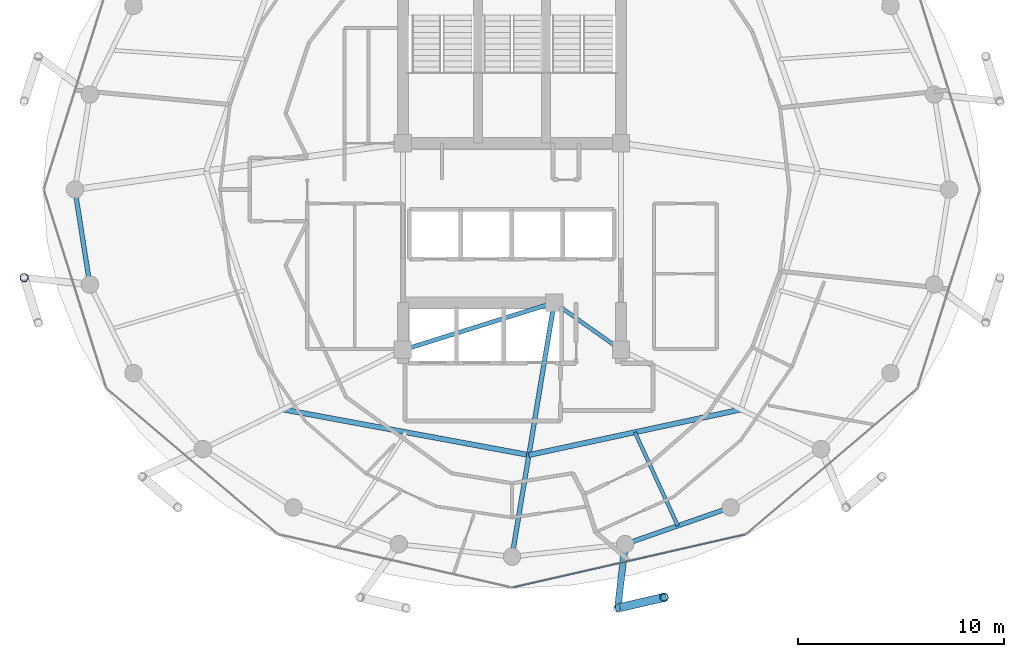
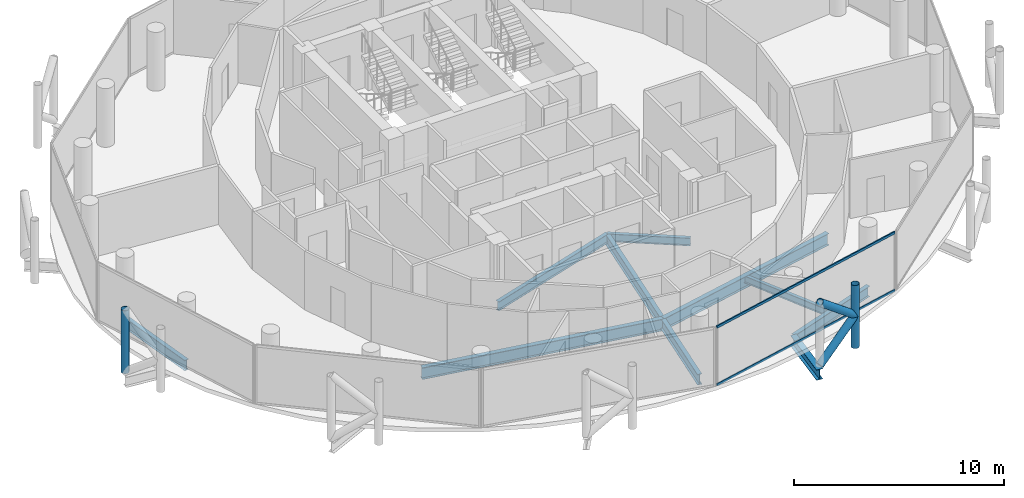
# One storey, part 6 of 27: 9 beams, 6 members, 1 element without a shape of its own.
"""IFC4 building model written with IfcOpenShell, lengths in metres."""

from ifc_helpers import new_model, si_unit, direction, frame, origin, origin_2d, place, context, subcontext, project, spatial, hollow_rectangle, hollow_circle, i_section, extrude, material, layer, layer_set, material_profile, profile_set, type_object, element, aggregate, save


model = new_model("IFC4")

# Units and contexts
model_context = context("Model", 3, precision=1e-05, world=origin(), true_north=direction((0.0, 1.0)))
body_context = subcontext(model_context, "Body", "Model", "MODEL_VIEW")
ifc_project = project(units=[si_unit("LENGTHUNIT", "METRE"), si_unit("AREAUNIT", "SQUARE_METRE"), si_unit("VOLUMEUNIT", "CUBIC_METRE"), si_unit("PLANEANGLEUNIT", "RADIAN"), si_unit("MASSUNIT", "GRAM", prefix="KILO")], contexts=[model_context])

# Site, building, storey
site_placement = place(None, origin())
site = spatial("IfcSite", under=ifc_project, at=site_placement, CompositionType="ELEMENT")
building_placement = place(site_placement, origin())
building = spatial("IfcBuilding", under=site, at=building_placement, Name="Nuhasar Tower", CompositionType="ELEMENT")
storey_placement = place(building_placement, frame((0.0, 0.0, 248.300048828125)))
storey = spatial("IfcBuildingStorey", under=building, at=storey_placement, Name="L61", CompositionType="ELEMENT", Elevation=248.300048828125)

# Beams
ifc_material_1 = material(Name="Steel S355", Category="steel")
ifc_material_profile_1 = material_profile(ifc_material_1, i_section(OverallWidth=0.25390625, OverallDepth=0.68408203125, WebThickness=0.012451171875, FlangeThickness=0.018798828125, at=origin_2d()), Name="W27X94")
ifc_profile_set_1 = profile_set([ifc_material_profile_1], Name="Steel S355")
beam_type_1 = type_object("IfcBeamType", Name="BM-INRING-W27X94", PredefinedType="BEAM", material=ifc_profile_set_1)
beam_1_placement = place(storey_placement, frame((27.864013671875, 16.10693359375, -0.58203125), z_axis=(0.983238439987, -0.182324354193, 0.0), x_axis=(0.182324354193, 0.983238439987, 0.0)))
element("IfcBeam", 1, at=beam_1_placement, inside=storey, type_object=beam_type_1, Name="L61 Inner Header Beam 01", PredefinedType="BEAM", context=body_context, shape_type="SweptSolid", body=[
    extrude(i_section(OverallWidth=0.25390625, OverallDepth=0.68408203125, WebThickness=0.012451171875, FlangeThickness=0.018798828125, at=origin_2d()), origin(), (0.0, 0.0, 1.0), 12.159912109375),
])
beam_2_placement = place(storey_placement, frame((39.820068359375, 13.889892578125, -0.58203125), z_axis=(0.977676275959, 0.210116870876, 0.0), x_axis=(-0.210116870876, 0.977676275959, 0.0)))
element("IfcBeam", 2, at=beam_2_placement, inside=storey, type_object=beam_type_1, Name="L61 Inner Header Beam 02", PredefinedType="BEAM", context=body_context, shape_type="SweptSolid", body=[
    extrude(i_section(OverallWidth=0.25390625, OverallDepth=0.68408203125, WebThickness=0.012451171875, FlangeThickness=0.018798828125, at=origin_2d()), origin(), (0.0, 0.0, 1.0), 10.551513671875),
])
ifc_material_profile_2 = material_profile(ifc_material_1, i_section(OverallWidth=0.177978515625, OverallDepth=0.406005859375, WebThickness=0.0078125, FlangeThickness=0.0126953125, at=origin_2d()), Name="W16X40")
ifc_profile_set_2 = profile_set([ifc_material_profile_2], Name="Steel S355")
beam_type_2 = type_object("IfcBeamType", Name="BM-JST-W16X40", PredefinedType="JOIST", material=ifc_profile_set_2)
beam_3_placement = place(storey_placement, frame((44.97802734375, 14.998046875, -0.443115234375), z_axis=(0.416562288184, -0.909107177434, 0.0), x_axis=(0.909107177434, 0.416562288184, 0.0)))
element("IfcBeam", 3, at=beam_3_placement, inside=storey, type_object=beam_type_2, Name="L61 Secondary Floor Joist 02", PredefinedType="JOIST", context=body_context, shape_type="SweptSolid", body=[
    extrude(i_section(OverallWidth=0.177978515625, OverallDepth=0.406005859375, WebThickness=0.0078125, FlangeThickness=0.0126953125, at=origin_2d()), origin(), (0.0, 0.0, 1.0), 5.0029296875),
])
ifc_material_profile_3 = material_profile(ifc_material_1, i_section(OverallWidth=0.18994140625, OverallDepth=0.45703125, WebThickness=0.009033203125, FlangeThickness=0.014404296875, at=origin_2d()), Name="W18X50")
ifc_profile_set_3 = profile_set([ifc_material_profile_3], Name="Steel S355")
beam_type_3 = type_object("IfcBeamType", Name="BM-RAD-W18X50", PredefinedType="BEAM", material=ifc_profile_set_3)
beam_4_placement = place(storey_placement, frame((41.050048828125, 21.300048828125, -0.468017578125), z_axis=(0.816265428953, -0.577677028708, 0.0), x_axis=(0.577677028708, 0.816265428953, 0.0)))
element("IfcBeam", 4, at=beam_4_placement, inside=storey, type_object=beam_type_3, Name="L61 Core Ring Girder 2", PredefinedType="BEAM", context=body_context, shape_type="SweptSolid", body=[
    extrude(i_section(OverallWidth=0.18994140625, OverallDepth=0.45703125, WebThickness=0.009033203125, FlangeThickness=0.014404296875, at=origin_2d()), origin(), (0.0, 0.0, 1.0), 3.9814453125),
])
ifc_material_profile_4 = material_profile(ifc_material_1, i_section(OverallWidth=0.208984375, OverallDepth=0.528076171875, WebThickness=0.009521484375, FlangeThickness=0.01318359375, at=origin_2d()), Name="W21X55")
ifc_profile_set_4 = profile_set([ifc_material_profile_4], Name="Steel S355")
beam_type_4 = type_object("IfcBeamType", Name="BM-RAD-W21X55", PredefinedType="BEAM", material=ifc_profile_set_4)
beam_5_placement = place(storey_placement, frame((33.699951171875, 19.0, -0.504150390625), z_axis=(0.954363709454, 0.298646798205, 0.0), x_axis=(-0.298646798205, 0.954363709454, 0.0)))
element("IfcBeam", 5, at=beam_5_placement, inside=storey, type_object=beam_type_4, Name="L61 Core Ring Girder 1", PredefinedType="BEAM", context=body_context, shape_type="SweptSolid", body=[
    extrude(i_section(OverallWidth=0.208984375, OverallDepth=0.528076171875, WebThickness=0.009521484375, FlangeThickness=0.01318359375, at=origin_2d()), origin(), (0.0, 0.0, 1.0), 7.70166015625),
])
ifc_material_profile_5 = material_profile(ifc_material_1, i_section(OverallWidth=0.22900390625, OverallDepth=0.612060546875, WebThickness=0.011962890625, FlangeThickness=0.01953125, at=origin_2d()), Name="W24X84")
ifc_profile_set_5 = profile_set([ifc_material_profile_5], Name="Steel S355")
beam_type_5 = type_object("IfcBeamType", Name="BM-RAD-W24X84", PredefinedType="BEAM", material=ifc_profile_set_5)
beam_6_placement = place(storey_placement, frame((41.050048828125, 21.300048828125, -0.546142578125), z_axis=(-0.163753822517, -0.98650123447, 0.0), x_axis=(0.98650123447, -0.163753822517, 0.0)))
element("IfcBeam", 6, at=beam_6_placement, inside=storey, type_object=beam_type_5, Name="L61 Radial Floor Girder 02", PredefinedType="BEAM", context=body_context, shape_type="SweptSolid", body=[
    extrude(i_section(OverallWidth=0.22900390625, OverallDepth=0.612060546875, WebThickness=0.011962890625, FlangeThickness=0.01953125, at=origin_2d()), origin(), (0.0, 0.0, 1.0), 12.51904296875),
])
ifc_material_profile_6 = material_profile(ifc_material_1, i_section(OverallWidth=0.22802734375, OverallDepth=0.60791015625, WebThickness=0.01123046875, FlangeThickness=0.017333984375, at=origin_2d()), Name="W24X76")
ifc_profile_set_6 = profile_set([ifc_material_profile_6], Name="Steel S355")
beam_type_6 = type_object("IfcBeamType", Name="BM-RING-W24X76", PredefinedType="SPANDREL", material=ifc_profile_set_6)
beam_7_placement = place(storey_placement, frame((17.75, 26.800048828125, -0.5439453125), z_axis=(0.154841886404, -0.987939264436, 0.0), x_axis=(0.987939264436, 0.154841886404, 0.0)))
element("IfcBeam", 7, at=beam_7_placement, inside=storey, type_object=beam_type_6, Name="L61 Perimeter Ring Spandrel 13", PredefinedType="SPANDREL", context=body_context, shape_type="SweptSolid", body=[
    extrude(i_section(OverallWidth=0.22802734375, OverallDepth=0.60791015625, WebThickness=0.01123046875, FlangeThickness=0.017333984375, at=origin_2d()), origin(), (0.0, 0.0, 1.0), 4.676513671875),
])
beam_8_placement = place(storey_placement, frame((44.5, 9.55810546875, -0.5439453125), z_axis=(0.944476764686, 0.328578211342, 0.0), x_axis=(-0.328578211342, 0.944476764686, 0.0)))
element("IfcBeam", 8, at=beam_8_placement, inside=storey, type_object=beam_type_6, Name="L61 Perimeter Ring Spandrel 20", PredefinedType="SPANDREL", context=body_context, shape_type="SweptSolid", body=[
    extrude(i_section(OverallWidth=0.22802734375, OverallDepth=0.60791015625, WebThickness=0.01123046875, FlangeThickness=0.017333984375, at=origin_2d()), origin(), (0.0, 0.0, 1.0), 5.42626953125),
])
ifc_material_profile_7 = material_profile(ifc_material_1, i_section(OverallWidth=0.323974609375, OverallDepth=0.611083984375, WebThickness=0.0126953125, FlangeThickness=0.01904296875, at=origin_2d()), Name="W24X104")
ifc_profile_set_7 = profile_set([ifc_material_profile_7], Name="Steel S355")
beam_type_7 = type_object("IfcBeamType", Name="BM-TIE-W24X104", PredefinedType="BEAM", material=ifc_profile_set_7)
beam_9_placement = place(storey_placement, frame((44.5, 9.55810546875, -0.545166015625), z_axis=(-0.114123371392, -0.993466585297, 0.0), x_axis=(0.993466585297, -0.114123371392, 0.0)))
element("IfcBeam", 9, at=beam_9_placement, inside=storey, type_object=beam_type_7, Name="L61 Exoskeleton Node Tie Beam 10", PredefinedType="BEAM", context=body_context, shape_type="SweptSolid", body=[
    extrude(i_section(OverallWidth=0.323974609375, OverallDepth=0.611083984375, WebThickness=0.0126953125, FlangeThickness=0.01904296875, at=origin_2d()), origin(), (0.0, 0.0, 1.0), 3.127685546875),
])

# Curtain wall, members
ifc_material_2 = material(Name="Aluminium 6063-T6", Category="aluminium")
ifc_layer = layer(ifc_material_2, 0.18994140625)
ifc_layer_set = layer_set([ifc_layer], Name="Aluminium 6063-T6")
curtain_wall_type = type_object("IfcCurtainWallType", Name="CW-Z3-RES", PredefinedType="NOTDEFINED", material=ifc_layer_set)
curtain_wall_placement = place(storey_placement, origin())
curtain_wall = element("IfcCurtainWall", 10, at=curtain_wall_placement, inside=storey, type_object=curtain_wall_type, Name="L61 Unitised Curtain Wall 10", PredefinedType="NOTDEFINED")
ifc_material_profile_8 = material_profile(ifc_material_2, hollow_rectangle(XDim=0.06494140625, YDim=0.139892578125, WallThickness=0.00439453125, at=origin_2d()), Name="CWT-4")
ifc_profile_set_8 = profile_set([ifc_material_profile_8], Name="Aluminium 6063-T6")
member_type_1 = type_object("IfcMemberType", Name="CW-TRN-S4", PredefinedType="USERDEFINED", material=ifc_profile_set_8)
member_1_placement = place(storey_placement, frame((39.0634765625, 7.454345703125, 0.032470703125), z_axis=(0.974989487479, 0.222250982686, 0.0), x_axis=(-0.222250982686, 0.974989487479, 0.0)))
member_1 = element("IfcMember", 11, at=member_1_placement, type_object=member_type_1, Name="CW-Z3 transom 1.1", ObjectType="TRANSOM", PredefinedType="USERDEFINED", context=body_context, shape_type="SweptSolid", body=[
    extrude(hollow_rectangle(XDim=0.06494140625, YDim=0.139892578125, WallThickness=0.00439453125, at=origin_2d()), origin(), (0.0, 0.0, 1.0), 11.541748046875),
])
member_2_placement = place(storey_placement, frame((39.0634765625, 7.454345703125, 3.37744140625), z_axis=(0.974989487479, 0.222250982686, 0.0), x_axis=(-0.222250982686, 0.974989487479, 0.0)))
member_2 = element("IfcMember", 12, at=member_2_placement, type_object=member_type_1, Name="CW-Z3 transom 1.2", ObjectType="TRANSOM", PredefinedType="USERDEFINED", context=body_context, shape_type="SweptSolid", body=[
    extrude(hollow_rectangle(XDim=0.06494140625, YDim=0.139892578125, WallThickness=0.00439453125, at=origin_2d()), origin(), (0.0, 0.0, 1.0), 11.541748046875),
])
aggregate(curtain_wall, [member_1, member_2])

# Members
ifc_material_3 = material(Name="Steel S460", Category="steel")
ifc_material_profile_9 = material_profile(ifc_material_3, hollow_circle(Radius=0.203125, WallThickness=0.01904296875, at=origin_2d()), Name="HSS406.4X19.1")
ifc_profile_set_9 = profile_set([ifc_material_profile_9], Name="Steel S460")
member_type_2 = type_object("IfcMemberType", Name="EXO-BRONZE-406", PredefinedType="BRACE", material=ifc_profile_set_9)
for number, where, z_axis, x_axis, name in (
    (13, (15.281982421875, 22.513916015625, 0.0), (0.0, 0.0, 1.0), (1.0, 0.0, 0.0), "L61 Exoskeleton Chord Column EC-07A"),
    (14, (46.384033203125, 6.967041015625, 0.0), (0.0, 0.0, 1.0), (1.0, 0.0, 0.0), "L61 Exoskeleton Chord Column EC-10B"),
):
    element("IfcMember", number, at=place(storey_placement, frame(where, z_axis=z_axis, x_axis=x_axis)), inside=storey, type_object=member_type_2, Name=name, PredefinedType="BRACE", context=body_context, shape_type="SweptSolid", body=[
        extrude(hollow_circle(Radius=0.203125, WallThickness=0.01904296875, at=origin_2d()), origin(), (0.0, 0.0, 1.0), 3.64990234375),
    ])
for number, where, z_axis, x_axis, name in (
    (15, (44.14306640625, 6.450927734375, 0.0), (0.76333158458, 0.175801609086, 0.621625841021), (-0.224433035437, 0.97448951385, 0.0), "L61 Bronze Diagrid Brace W1-10"),
    (16, (46.384033203125, 6.967041015625, 1.824951171875), (-0.76333158458, -0.175801609086, 0.621625841021), (0.224433035437, -0.97448951385, 0.0), "L61 Bronze Diagrid Brace W2-10"),
):
    element("IfcMember", number, at=place(storey_placement, frame(where, z_axis=z_axis, x_axis=x_axis)), inside=storey, type_object=member_type_2, Name=name, PredefinedType="BRACE", context=body_context, shape_type="SweptSolid", body=[
        extrude(hollow_circle(Radius=0.203125, WallThickness=0.01904296875, at=origin_2d()), origin(), (0.0, 0.0, 1.0), 2.935791015625),
    ])

save(model, "model.ifc")
